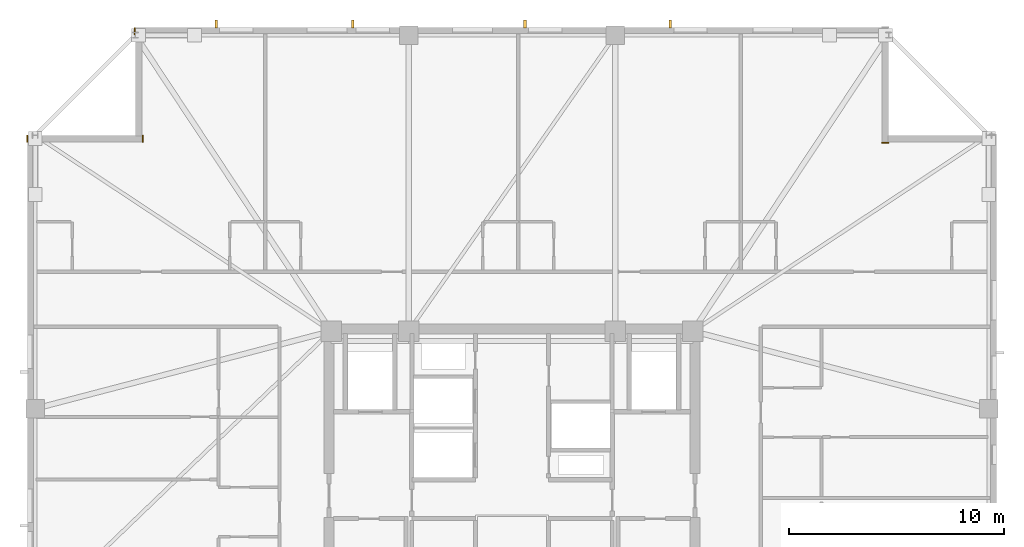
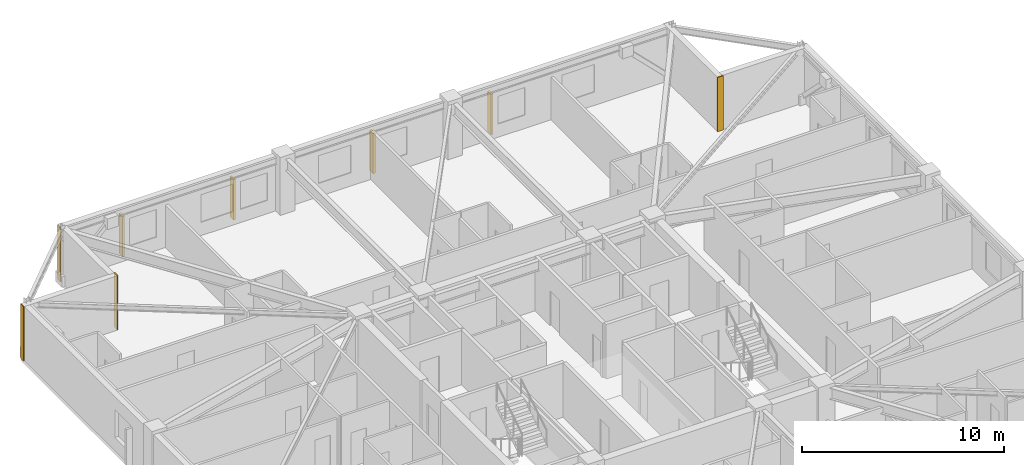
# One storey, part 16 of 17: 4 coverings, 4 shading devices.
"""IFC4 building model written with IfcOpenShell, lengths in metres."""

from ifc_helpers import new_model, si_unit, direction, frame, frame_2d, origin, origin_2d, place, context, subcontext, project, spatial, rectangle, extrude, material, layer, layer_set, type_object, element, save


model = new_model("IFC4")

# Units and contexts
model_context = context("Model", 3, precision=1e-05, world=origin(), true_north=direction((0.0, 1.0)))
body_context = subcontext(model_context, "Body", "Model", "MODEL_VIEW")
ifc_project = project(units=[si_unit("LENGTHUNIT", "METRE"), si_unit("AREAUNIT", "SQUARE_METRE"), si_unit("VOLUMEUNIT", "CUBIC_METRE"), si_unit("PLANEANGLEUNIT", "RADIAN"), si_unit("MASSUNIT", "GRAM", prefix="KILO")], contexts=[model_context])

# Site, building, storey
site_placement = place(None, origin())
site = spatial("IfcSite", under=ifc_project, at=site_placement, CompositionType="ELEMENT")
building_placement = place(site_placement, origin())
building = spatial("IfcBuilding", under=site, at=building_placement, Name="Cairnveth Concourse Tower", CompositionType="ELEMENT")
storey_placement = place(building_placement, frame((0.0, 0.0, 262.0)))
storey = spatial("IfcBuildingStorey", under=building, at=storey_placement, Name="L72", CompositionType="ELEMENT", Elevation=262.0)

# Coverings
ifc_material_1 = material(Name="Dressed Melbourne Bluestone Cladding", Category="masonry")
ifc_layer = layer(ifc_material_1, 0.050048828125)
ifc_layer_set = layer_set([ifc_layer], Name="Dressed Melbourne Bluestone Cladding")
covering_type = type_object("IfcCoveringType", Name="DRESSED BLUESTONE PLINTH CLADDING 50", PredefinedType="CLADDING", material=ifc_layer_set)
for number, where, z_axis, x_axis, name in (
    (1, (29.47998046875, 56.179931640625, 0.0), (0.0, 0.0, 1.0), (0.0, 1.0, 0.0), "Melbourne Bluestone Corner Quoin L72-1091"),
    (2, (34.840087890625, 56.179931640625, 0.0), (0.0, 0.0, 1.0), (0.0, 1.0, 0.0), "Melbourne Bluestone Corner Quoin L72-1092"),
    (3, (34.47998046875, 61.179931640625, 0.0), (0.0, 0.0, 1.0), (0.0, 1.0, 0.0), "Melbourne Bluestone Corner Quoin L72-1093"),
    (4, (69.179931640625, 56.159912109375, 0.0), (0.0, 0.0, 1.0), (1.0, 0.0, 0.0), "Melbourne Bluestone Corner Quoin L72-1095"),
):
    element("IfcCovering", number, at=place(storey_placement, frame(where, z_axis=z_axis, x_axis=x_axis)), inside=storey, type_object=covering_type, Name=name, PredefinedType="CLADDING", context=body_context, shape_type="SweptSolid", body=[
        extrude(rectangle(XDim=0.320068359375, YDim=0.050048828125, at=frame_2d((0.16015625, 0.0))), origin(), (0.0, 0.0, 1.0), 3.2900390625),
    ])

# Shading devices
ifc_material_2 = material(Name="Architectural Bronze Anodised Aluminium 6063-T6", Category="aluminium")
shading_device_type = type_object("IfcShadingDeviceType", Name="GOTHIC BRONZE VERTICAL LANCET FIN", PredefinedType="USERDEFINED", material=ifc_material_2)
for number, where, z_axis, x_axis, name in (
    (5, (38.252685546875, 61.675048828125, 0.030029296875), (0.0, 0.0, 1.0), (1.0, 0.0, 0.0), "Gothic Bronze Vertical Fin L72-6-1"),
    (6, (44.60302734375, 61.675048828125, 0.030029296875), (0.0, 0.0, 1.0), (1.0, 0.0, 0.0), "Gothic Bronze Vertical Fin L72-6-3"),
    (7, (52.603515625, 61.675048828125, 0.030029296875), (0.0, 0.0, 1.0), (1.0, 0.0, 0.0), "Gothic Bronze Vertical Fin L72-6-5"),
    (8, (59.35400390625, 61.675048828125, 0.030029296875), (0.0, 0.0, 1.0), (1.0, 0.0, 0.0), "Gothic Bronze Vertical Fin L72-6-7"),
):
    element("IfcShadingDevice", number, at=place(storey_placement, frame(where, z_axis=z_axis, x_axis=x_axis)), inside=storey, type_object=shading_device_type, Name=name, ObjectType="VERTICAL FIN", PredefinedType="USERDEFINED", context=body_context, shape_type="SweptSolid", body=[
        extrude(rectangle(XDim=0.1201171875, YDim=0.360107421875, at=origin_2d()), origin(), (0.0, 0.0, 1.0), 2.43798828125),
    ])

save(model, "model.ifc")
